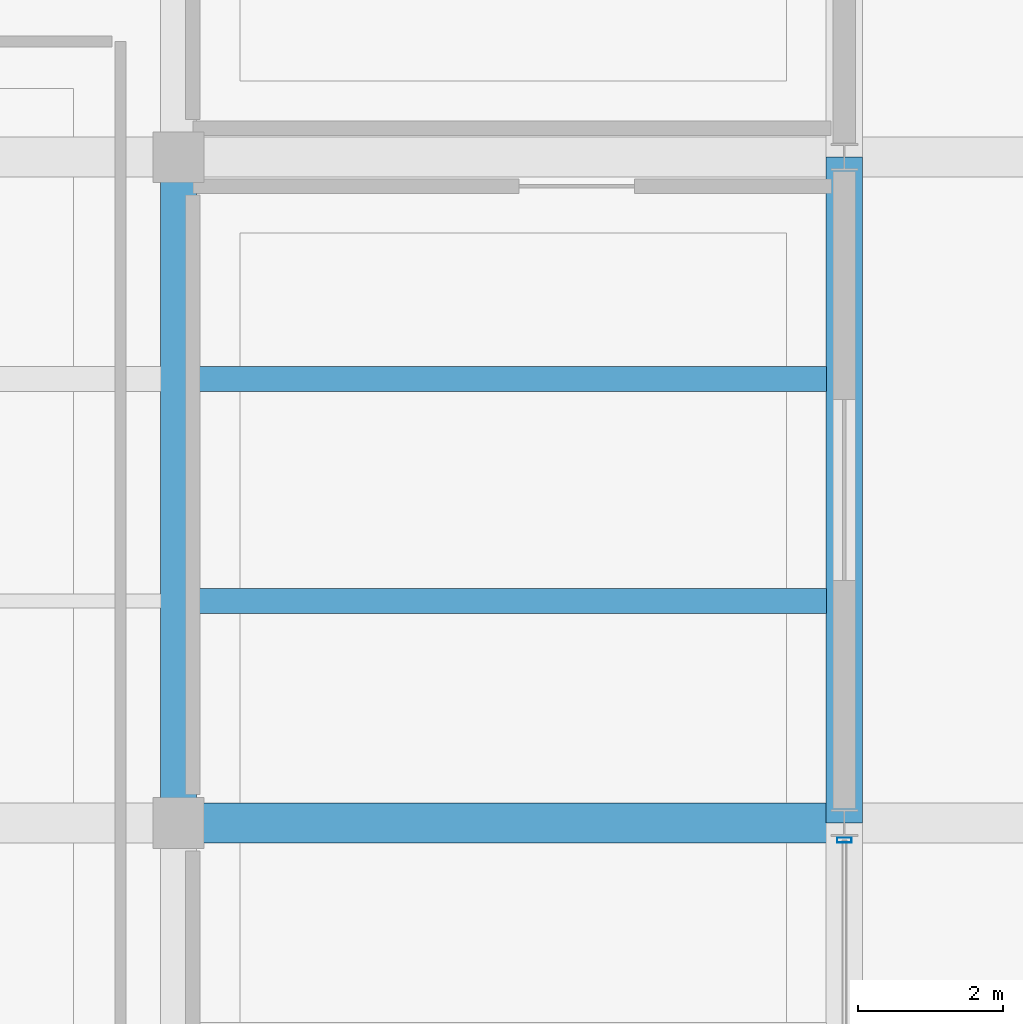
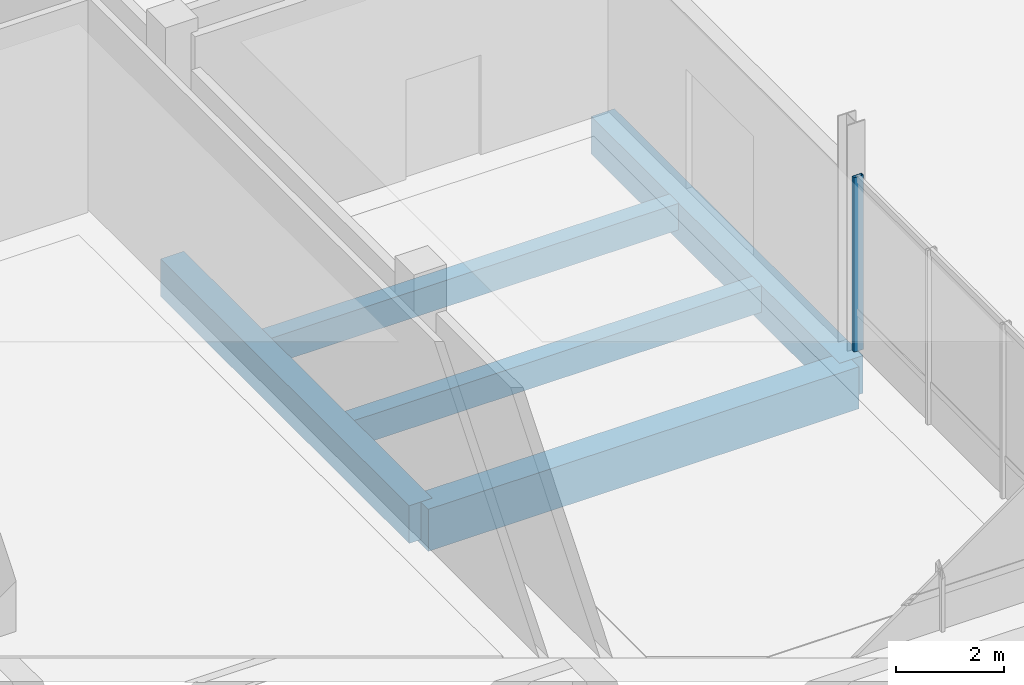
# One storey, part 15 of 73: 5 beams, 1 member, 1 element without a shape of its own.
"""IFC4 building model written with IfcOpenShell, lengths in metres."""

from ifc_helpers import new_model, si_unit, direction, frame, origin, origin_2d, place, context, subcontext, project, spatial, rectangle, hollow_rectangle, extrude, material, layer, layer_set, material_profile, profile_set, type_object, element, aggregate, save


model = new_model("IFC4")

# Units and contexts
model_context = context("Model", 3, precision=1e-05, world=origin(), true_north=direction((0.0, 1.0)))
body_context = subcontext(model_context, "Body", "Model", "MODEL_VIEW")
ifc_project = project(units=[si_unit("LENGTHUNIT", "METRE"), si_unit("AREAUNIT", "SQUARE_METRE"), si_unit("VOLUMEUNIT", "CUBIC_METRE"), si_unit("PLANEANGLEUNIT", "RADIAN"), si_unit("MASSUNIT", "GRAM", prefix="KILO")], contexts=[model_context])

# Site, building, storey
site_placement = place(None, origin())
site = spatial("IfcSite", under=ifc_project, at=site_placement, CompositionType="ELEMENT")
building_placement = place(site_placement, origin())
building = spatial("IfcBuilding", under=site, at=building_placement, Name="Meriwether Solvik Hall", CompositionType="ELEMENT")
storey_placement = place(building_placement, origin())
storey = spatial("IfcBuildingStorey", under=building, at=storey_placement, Name="L00", CompositionType="ELEMENT", Elevation=0.0)

# Beams
ifc_material_1 = material(Name="Concrete C40/50", Category="concrete")
ifc_material_profile_1 = material_profile(ifc_material_1, rectangle(XDim=0.35009765625, YDim=0.60009765625, at=origin_2d()), Name="RCB-350X600")
ifc_profile_set_1 = profile_set([ifc_material_profile_1], Name="Concrete C40/50")
beam_type_1 = type_object("IfcBeamType", Name="BM-RC-350X600", PredefinedType="JOIST", material=ifc_profile_set_1)
for number, where, z_axis, x_axis, name in (
    (1, (105.2451171875, 17.066650390625, -0.659912109375), (1.0, 0.0, 0.0), (0.0, 1.0, 0.0), "Secondary Floor Joist 12/B_J1 (L00)"),
    (2, (105.2451171875, 20.13330078125, -0.659912109375), (1.0, 0.0, 0.0), (0.0, 1.0, 0.0), "Secondary Floor Joist 12/B_J2 (L00)"),
):
    element("IfcBeam", number, at=place(storey_placement, frame(where, z_axis=z_axis, x_axis=x_axis)), inside=storey, type_object=beam_type_1, Name=name, PredefinedType="JOIST", context=body_context, shape_type="SweptSolid", body=[
        extrude(rectangle(XDim=0.35009765625, YDim=0.60009765625, at=origin_2d()), origin(), (0.0, 0.0, 1.0), 8.7099609375),
    ])
ifc_material_2 = material(Name="Concrete C40/50", Category="concrete")
ifc_material_profile_2 = material_profile(ifc_material_2, rectangle(XDim=0.5, YDim=0.85009765625, at=origin_2d()), Name="RCB-500X850")
ifc_profile_set_2 = profile_set([ifc_material_profile_2], Name="Concrete C40/50")
beam_type_2 = type_object("IfcBeamType", Name="BM-RC-500X850", PredefinedType="BEAM", material=ifc_profile_set_2)
for number, where, z_axis, x_axis, name in (
    (3, (105.0, 14.0, -0.784912109375), (0.0, 1.0, 0.0), (-1.0, 0.0, 0.0), "Podium Girder 12:B-C (L00)"),
    (4, (114.199951171875, 14.0, -0.784912109375), (0.0, 1.0, 0.0), (-1.0, 0.0, 0.0), "Podium Girder 13:B-C (L00)"),
):
    element("IfcBeam", number, at=place(storey_placement, frame(where, z_axis=z_axis, x_axis=x_axis)), inside=storey, type_object=beam_type_2, Name=name, PredefinedType="BEAM", context=body_context, shape_type="SweptSolid", body=[
        extrude(rectangle(XDim=0.5, YDim=0.85009765625, at=origin_2d()), origin(), (0.0, 0.0, 1.0), 9.199951171875),
    ])
ifc_material_3 = material(Name="Concrete C40/50", Category="concrete")
ifc_material_profile_3 = material_profile(ifc_material_3, rectangle(XDim=0.550048828125, YDim=0.949951171875, at=origin_2d()), Name="RCB-550X950")
ifc_profile_set_3 = profile_set([ifc_material_profile_3], Name="Concrete C40/50")
beam_type_3 = type_object("IfcBeamType", Name="BM-RC-550X950", PredefinedType="BEAM", material=ifc_profile_set_3)
beam_placement = place(storey_placement, frame((105.0, 14.0, -0.8349609375), z_axis=(1.0, 0.0, 0.0), x_axis=(0.0, 1.0, 0.0)))
element("IfcBeam", 5, at=beam_placement, inside=storey, type_object=beam_type_3, Name="Podium Girder B:12-13 (L00)", PredefinedType="BEAM", context=body_context, shape_type="SweptSolid", body=[
    extrude(rectangle(XDim=0.550048828125, YDim=0.949951171875, at=origin_2d()), origin(), (0.0, 0.0, 1.0), 9.199951171875),
])

# Curtain wall, member
ifc_material_4 = material(Name="Thermally Broken Anodised Aluminium 6063-T6 and Low-E Glass", Category="aluminium")
ifc_layer = layer(ifc_material_4, 0.179931640625)
ifc_layer_set = layer_set([ifc_layer], Name="Thermally Broken Anodised Aluminium 6063-T6 and Low-E Glass")
curtain_wall_type = type_object("IfcCurtainWallType", Name="CW-SF-POD-A", PredefinedType="USERDEFINED", material=ifc_layer_set)
curtain_wall_placement = place(storey_placement, origin())
curtain_wall = element("IfcCurtainWall", 6, at=curtain_wall_placement, inside=storey, type_object=curtain_wall_type, Name="Curtain Wall wing_Y13_1_59 (L00)", ObjectType="STICK STOREFRONT GLAZING", PredefinedType="USERDEFINED")
ifc_material_5 = material(Name="Anodised Aluminium 6063-T6", Category="aluminium")
ifc_material_profile_4 = material_profile(ifc_material_5, hollow_rectangle(XDim=0.070068359375, YDim=0.199951171875, WallThickness=0.0048828125, at=origin_2d()), Name="CWM-70X200")
ifc_profile_set_4 = profile_set([ifc_material_profile_4], Name="Anodised Aluminium 6063-T6")
member_type = type_object("IfcMemberType", Name="CW-MUL-70X200", PredefinedType="MULLION", material=ifc_profile_set_4)
member_placement = place(storey_placement, frame((114.199951171875, 13.763916015625, 0.0), z_axis=(0.0, 0.0, 1.0), x_axis=(0.0, -1.0, 0.0)))
member = element("IfcMember", 7, at=member_placement, type_object=member_type, Name="Curtain Wall Mullion 1", PredefinedType="MULLION", context=body_context, shape_type="SweptSolid", body=[
    extrude(hollow_rectangle(XDim=0.070068359375, YDim=0.199951171875, WallThickness=0.0048828125, at=origin_2d()), origin(), (0.0, 0.0, 1.0), 3.93994140625),
])
aggregate(curtain_wall, [member])

save(model, "model.ifc")
